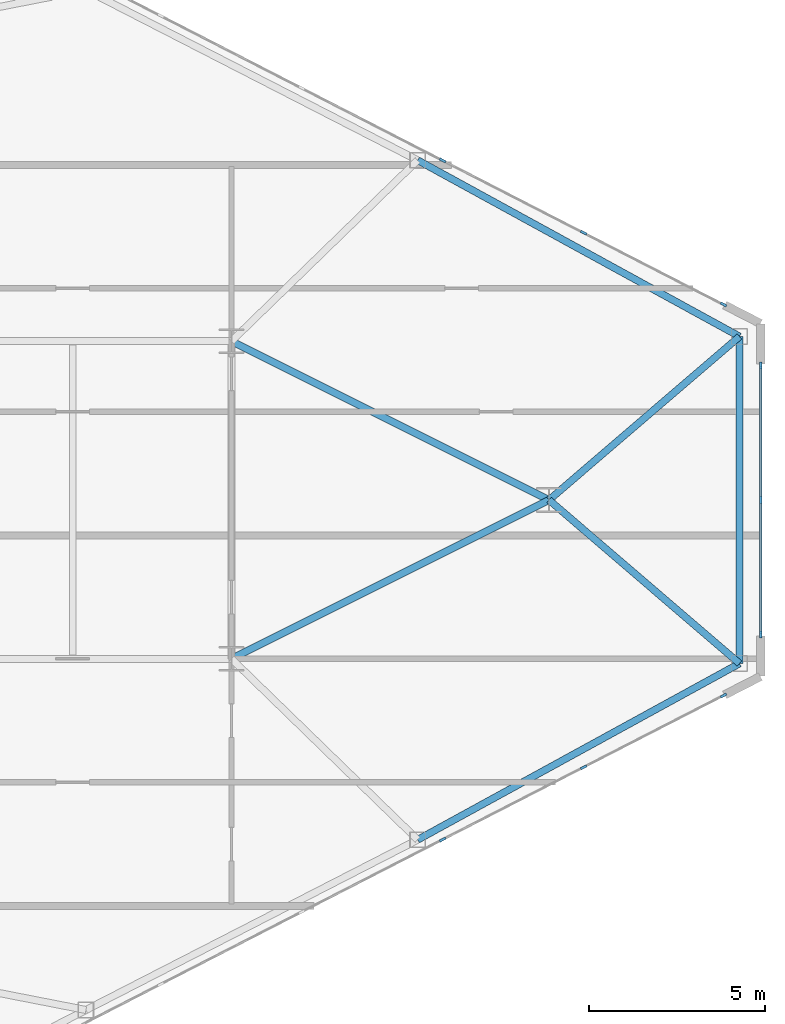
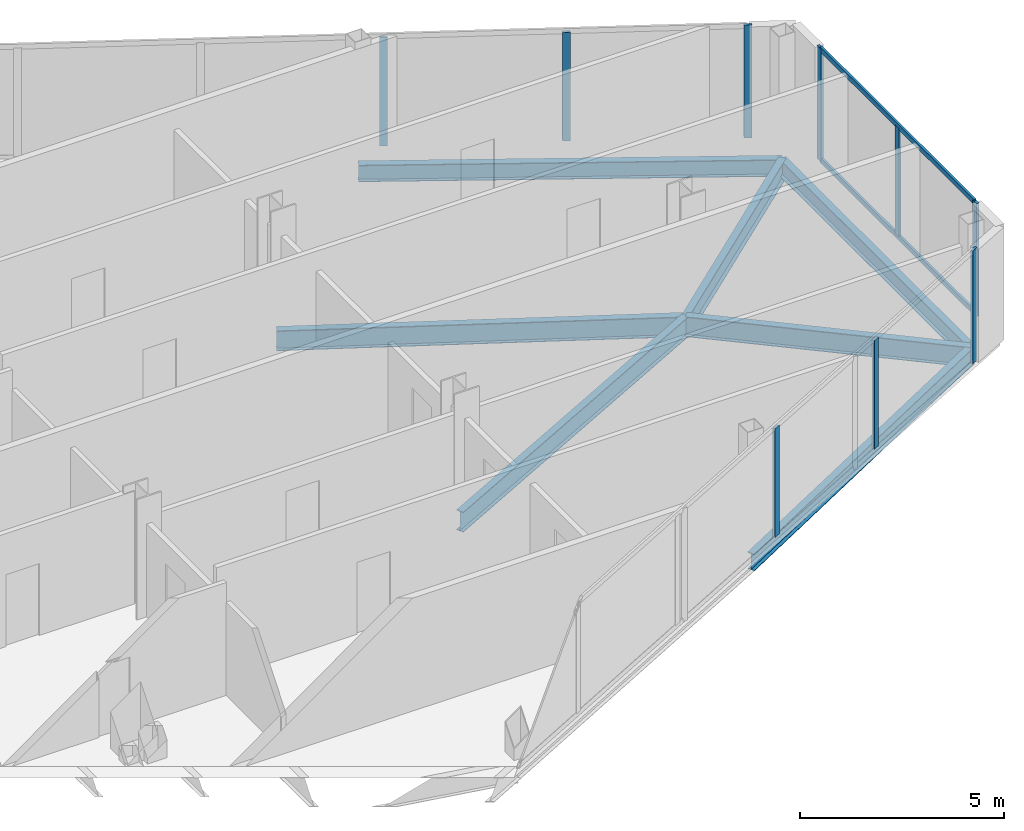
# One storey, part 13 of 23: 11 members, 7 beams, 3 elements without a shape of their own.
"""IFC4 building model written with IfcOpenShell, lengths in metres."""

from ifc_helpers import new_model, si_unit, direction, frame, origin, origin_2d, place, context, subcontext, project, spatial, rectangle, i_section, extrude, source, transform, mapped, material, layer, layer_set, material_profile, profile_set, type_object, type_shapes, element, aggregate, save


model = new_model("IFC4")

# Units and contexts
model_context = context("Model", 3, precision=1e-05, world=origin(), true_north=direction((0.0, 1.0)))
body_context = subcontext(model_context, "Body", "Model", "MODEL_VIEW")
ifc_project = project(units=[si_unit("LENGTHUNIT", "METRE"), si_unit("AREAUNIT", "SQUARE_METRE"), si_unit("VOLUMEUNIT", "CUBIC_METRE"), si_unit("PLANEANGLEUNIT", "RADIAN"), si_unit("MASSUNIT", "GRAM", prefix="KILO")], contexts=[model_context])

# Site, building, storey
site_placement = place(None, origin())
site = spatial("IfcSite", under=ifc_project, at=site_placement, CompositionType="ELEMENT")
building_placement = place(site_placement, origin())
building = spatial("IfcBuilding", under=site, at=building_placement, Name="Seokmaru Belvedere", CompositionType="ELEMENT")
storey_placement = place(building_placement, frame((0.0, 0.0, 144.0)))
storey = spatial("IfcBuildingStorey", under=building, at=storey_placement, Name="L38", CompositionType="ELEMENT", Elevation=144.0)

# Beams
ifc_material_1 = material(Name="Steel SM355 (355 MPa)", Category="steel")
ifc_material_profile_1 = material_profile(ifc_material_1, i_section(OverallWidth=0.199951171875, OverallDepth=0.60009765625, WebThickness=0.010986328125, FlangeThickness=0.01708984375, at=origin_2d()), Name="H-600x200x11x17")
ifc_profile_set_1 = profile_set([ifc_material_profile_1], Name="Steel SM355 (355 MPa)")
beam_type_1 = type_object("IfcBeamType", Name="Primary Floor Girder H-600", PredefinedType="BEAM", material=ifc_profile_set_1)
shared_shape_1 = source(origin(), body_context, "Body", "SweptSolid", [
    extrude(i_section(OverallWidth=0.199951171875, OverallDepth=0.60009765625, WebThickness=0.010986328125, FlangeThickness=0.01708984375, at=origin_2d()), origin(), (0.0, 0.0, 1.0), 10.062255859375),
])
for number, where, z_axis, x_axis, name in (
    (1, (54.5, -4.5, -0.52001953125), (0.894427191, 0.4472135955, 0.0), (-0.4472135955, 0.894427191, 0.0), "L38 E Apex Converging Girder 1"),
    (2, (54.5, 4.5, -0.52001953125), (0.894427191, -0.4472135955, 0.0), (0.4472135955, 0.894427191, 0.0), "L38 E Apex Converging Girder 2"),
):
    element("IfcBeam", number, at=place(storey_placement, frame(where, z_axis=z_axis, x_axis=x_axis)), inside=storey, type_object=beam_type_1, Name=name, PredefinedType="BEAM", context=body_context, shape_type="MappedRepresentation", body=[
        mapped(shared_shape_1, transform((0.0, 0.0, 0.0), scale=1.0)),
    ])
ifc_material_profile_2 = material_profile(ifc_material_1, i_section(OverallWidth=0.199951171875, OverallDepth=0.5, WebThickness=0.010009765625, FlangeThickness=0.01611328125, at=origin_2d()), Name="H-500x200x10x16")
ifc_profile_set_2 = profile_set([ifc_material_profile_2], Name="Steel SM355 (355 MPa)")
beam_type_2 = type_object("IfcBeamType", Name="Perimeter Spandrel Beam H-500", PredefinedType="SPANDREL", material=ifc_profile_set_2)
shared_shape_2 = source(origin(), body_context, "Body", "SweptSolid", [
    extrude(i_section(OverallWidth=0.199951171875, OverallDepth=0.5, WebThickness=0.010009765625, FlangeThickness=0.01611328125, at=origin_2d()), origin(), (0.0, 0.0, 1.0), 10.399658203125),
])
for number, where, z_axis, x_axis, name in (
    (3, (59.778564453125, -9.62890625, -0.469970703125), (0.877082374422, 0.480339992587, 0.0), (-0.480339992587, 0.877082374422, 0.0), "L38 E Faceted Flank Spandrel S-4"),
    (4, (59.778564453125, 9.62890625, -0.469970703125), (0.877082374422, -0.480339992587, 0.0), (0.480339992587, 0.877082374422, 0.0), "L38 E Faceted Flank Spandrel N-4"),
):
    element("IfcBeam", number, at=place(storey_placement, frame(where, z_axis=z_axis, x_axis=x_axis)), inside=storey, type_object=beam_type_2, Name=name, PredefinedType="SPANDREL", context=body_context, shape_type="MappedRepresentation", body=[
        mapped(shared_shape_2, transform((0.0, 0.0, 0.0), scale=1.0)),
    ])
shared_shape_3 = source(origin(), body_context, "Body", "SweptSolid", [
    extrude(i_section(OverallWidth=0.199951171875, OverallDepth=0.5, WebThickness=0.010009765625, FlangeThickness=0.01611328125, at=origin_2d()), origin(), (0.0, 0.0, 1.0), 9.26708984375),
])
type_shapes(beam_type_2, [shared_shape_2, shared_shape_3])
beam_placement = place(storey_placement, frame((68.89990234375, -4.633544921875, -0.469970703125), z_axis=(0.0, 1.0, 0.0), x_axis=(-1.0, 0.0, 0.0)))
element("IfcBeam", 5, at=beam_placement, inside=storey, type_object=beam_type_2, Name="L38 E Faceted Apex Spandrel", PredefinedType="SPANDREL", context=body_context, shape_type="MappedRepresentation", body=[
    mapped(shared_shape_3, transform((0.0, 0.0, 0.0), scale=1.0)),
])
shared_shape_4 = source(origin(), body_context, "Body", "SweptSolid", [
    extrude(i_section(OverallWidth=0.199951171875, OverallDepth=0.60009765625, WebThickness=0.010986328125, FlangeThickness=0.01708984375, at=origin_2d()), origin(), (0.0, 0.0, 1.0), 7.115478515625),
])
type_shapes(beam_type_1, [shared_shape_1, shared_shape_4])
for number, where, z_axis, x_axis, name in (
    (6, (68.89990234375, -4.633544921875, -0.52001953125), (-0.758905301881, 0.651201000289, 0.0), (-0.651201000289, -0.758905301881, 0.0), "L38 E Apex Radial Floor Girder 1"),
    (7, (68.89990234375, 4.633544921875, -0.52001953125), (-0.758905301881, -0.651201000289, 0.0), (0.651201000289, -0.758905301881, 0.0), "L38 E Apex Radial Floor Girder 2"),
):
    element("IfcBeam", number, at=place(storey_placement, frame(where, z_axis=z_axis, x_axis=x_axis)), inside=storey, type_object=beam_type_1, Name=name, PredefinedType="BEAM", context=body_context, shape_type="MappedRepresentation", body=[
        mapped(shared_shape_4, transform((0.0, 0.0, 0.0), scale=1.0)),
    ])

# Curtain wall, member
ifc_material_2 = material(Name="Bronze Triple Insulating Glass", Category="glass")
ifc_layer = layer(ifc_material_2, 0.195068359375)
ifc_layer_set = layer_set([ifc_layer], Name="Bronze Triple Insulating Glass")
curtain_wall_type = type_object("IfcCurtainWallType", Name="Sky-Lobby and Mid-Rise Curtain Wall System CW-4", PredefinedType="NOTDEFINED", material=ifc_layer_set)
curtain_wall_1_placement = place(storey_placement, origin())
curtain_wall_1 = element("IfcCurtainWall", 8, at=curtain_wall_1_placement, inside=storey, type_object=curtain_wall_type, Name="L38 Curtain Wall EF1", PredefinedType="NOTDEFINED")
ifc_material_3 = material(Name="Anodised Bronze Aluminium", Category="aluminium")
ifc_material_profile_3 = material_profile(ifc_material_3, rectangle(XDim=0.070068359375, YDim=0.195068359375, at=origin_2d()), Name="CW-M-70x195")
ifc_profile_set_3 = profile_set([ifc_material_profile_3], Name="Anodised Bronze Aluminium")
member_type_1 = type_object("IfcMemberType", Name="Bronze Unitised Mullion 70x195", PredefinedType="MULLION", material=ifc_profile_set_3)
shared_shape_5 = source(origin(), body_context, "Body", "SweptSolid", [
    extrude(rectangle(XDim=0.070068359375, YDim=0.195068359375, at=origin_2d()), origin(), (0.0, 0.0, 1.0), 3.3798828125),
])
member_1_placement = place(storey_placement, frame((68.44580078125, -5.541015625, 0.0), z_axis=(0.0, 0.0, 1.0), x_axis=(-0.456554528263, 0.889695432562, 0.0)))
member_1 = element("IfcMember", 9, at=member_1_placement, type_object=member_type_1, Name="CW:L38:EF1 Mullion 10", PredefinedType="MULLION", context=body_context, shape_type="MappedRepresentation", body=[
    mapped(shared_shape_5, transform((0.0, 0.0, 0.0), scale=1.0)),
])

# Curtain wall, members
curtain_wall_2_placement = place(storey_placement, origin())
curtain_wall_2 = element("IfcCurtainWall", 10, at=curtain_wall_2_placement, inside=storey, type_object=curtain_wall_type, Name="L38 Curtain Wall EF2", PredefinedType="NOTDEFINED")
member_2_placement = place(storey_placement, frame((69.5, -3.81494140625, 0.0), z_axis=(0.0, 0.0, 1.0), x_axis=(-1.0, 0.0, 0.0)))
member_2 = element("IfcMember", 11, at=member_2_placement, type_object=member_type_1, Name="CW:L38:EF2 Mullion 1", PredefinedType="MULLION", context=body_context, shape_type="MappedRepresentation", body=[
    mapped(shared_shape_5, transform((0.0, 0.0, 0.0), scale=1.0)),
])
member_3_placement = place(storey_placement, frame((69.5, 3.81494140625, 0.0), z_axis=(0.0, 0.0, 1.0), x_axis=(-1.0, 0.0, 0.0)))
member_3 = element("IfcMember", 12, at=member_3_placement, type_object=member_type_1, Name="CW:L38:EF2 Mullion 3", PredefinedType="MULLION", context=body_context, shape_type="MappedRepresentation", body=[
    mapped(shared_shape_5, transform((0.0, 0.0, 0.0), scale=1.0)),
])

# Curtain wall, member
curtain_wall_3_placement = place(storey_placement, origin())
curtain_wall_3 = element("IfcCurtainWall", 13, at=curtain_wall_3_placement, inside=storey, type_object=curtain_wall_type, Name="L38 Curtain Wall EF3", PredefinedType="NOTDEFINED")
member_4_placement = place(storey_placement, frame((68.44580078125, 5.541015625, 0.0), z_axis=(0.0, 0.0, 1.0), x_axis=(-0.456554528263, -0.889695432562, 0.0)))
member_4 = element("IfcMember", 14, at=member_4_placement, type_object=member_type_1, Name="CW:L38:EF3 Mullion 1", PredefinedType="MULLION", context=body_context, shape_type="MappedRepresentation", body=[
    mapped(shared_shape_5, transform((0.0, 0.0, 0.0), scale=1.0)),
])

# Member
shared_shape_6 = source(origin(), body_context, "Body", "SweptSolid", [
    extrude(rectangle(XDim=0.070068359375, YDim=0.195068359375, at=origin_2d()), origin(), (0.0, 0.0, 1.0), 3.25),
])
type_shapes(member_type_1, [shared_shape_5, shared_shape_6])
member_5_placement = place(storey_placement, frame((60.4873046875, -9.625, 0.06494140625), z_axis=(0.0, 0.0, 1.0), x_axis=(-0.456554528263, 0.889695432562, 0.0)))
member_5 = element("IfcMember", 15, at=member_5_placement, type_object=member_type_1, Name="CW:L38:EF1 Mullion 8", PredefinedType="MULLION", context=body_context, shape_type="MappedRepresentation", body=[
    mapped(shared_shape_6, transform((0.0, 0.0, 0.0), scale=1.0)),
])

member_6_placement = place(storey_placement, frame((64.48193359375, -7.574951171875, 0.06494140625), z_axis=(0.0, 0.0, 1.0), x_axis=(-0.456554528263, 0.889695432562, 0.0)))
member_6 = element("IfcMember", 16, at=member_6_placement, type_object=member_type_1, Name="CW:L38:EF1 Mullion 9", PredefinedType="MULLION", context=body_context, shape_type="MappedRepresentation", body=[
    mapped(shared_shape_6, transform((0.0, 0.0, 0.0), scale=1.0)),
])

aggregate(curtain_wall_1, [member_5, member_6, member_1])

member_7_placement = place(storey_placement, frame((69.5, 0.0, 0.06494140625), z_axis=(0.0, 0.0, 1.0), x_axis=(-1.0, 0.0, 0.0)))
member_7 = element("IfcMember", 17, at=member_7_placement, type_object=member_type_1, Name="CW:L38:EF2 Mullion 2", PredefinedType="MULLION", context=body_context, shape_type="MappedRepresentation", body=[
    mapped(shared_shape_6, transform((0.0, 0.0, 0.0), scale=1.0)),
])

member_8_placement = place(storey_placement, frame((64.48193359375, 7.574951171875, 0.06494140625), z_axis=(0.0, 0.0, 1.0), x_axis=(-0.456554528263, -0.889695432562, 0.0)))
member_8 = element("IfcMember", 18, at=member_8_placement, type_object=member_type_1, Name="CW:L38:EF3 Mullion 2", PredefinedType="MULLION", context=body_context, shape_type="MappedRepresentation", body=[
    mapped(shared_shape_6, transform((0.0, 0.0, 0.0), scale=1.0)),
])

member_9_placement = place(storey_placement, frame((60.4873046875, 9.625, 0.06494140625), z_axis=(0.0, 0.0, 1.0), x_axis=(-0.456554528263, -0.889695432562, 0.0)))
member_9 = element("IfcMember", 19, at=member_9_placement, type_object=member_type_1, Name="CW:L38:EF3 Mullion 3", PredefinedType="MULLION", context=body_context, shape_type="MappedRepresentation", body=[
    mapped(shared_shape_6, transform((0.0, 0.0, 0.0), scale=1.0)),
])

aggregate(curtain_wall_3, [member_4, member_8, member_9])

ifc_material_profile_4 = material_profile(ifc_material_3, rectangle(XDim=0.06494140625, YDim=0.14990234375, at=origin_2d()), Name="CW-T-65x150")
ifc_profile_set_4 = profile_set([ifc_material_profile_4], Name="Anodised Bronze Aluminium")
member_type_2 = type_object("IfcMemberType", Name="Bronze Unitised Transom 65x150", PredefinedType="USERDEFINED", material=ifc_profile_set_4)
shared_shape_7 = source(origin(), body_context, "Body", "SweptSolid", [
    extrude(rectangle(XDim=0.06494140625, YDim=0.14990234375, at=origin_2d()), origin(), (0.0, 0.0, 1.0), 7.56005859375),
])
type_shapes(member_type_2, [shared_shape_7])
member_10_placement = place(storey_placement, frame((69.5, -3.780029296875, 0.032470703125), z_axis=(0.0, 1.0, 0.0), x_axis=(-1.0, 0.0, 0.0)))
member_10 = element("IfcMember", 20, at=member_10_placement, type_object=member_type_2, Name="CW:L38:EF2 Continuous Transom 1", ObjectType="TRANSOM", PredefinedType="USERDEFINED", context=body_context, shape_type="MappedRepresentation", body=[
    mapped(shared_shape_7, transform((0.0, 0.0, 0.0), scale=1.0)),
])

member_11_placement = place(storey_placement, frame((69.5, -3.780029296875, 3.347412109375), z_axis=(0.0, 1.0, 0.0), x_axis=(-1.0, 0.0, 0.0)))
member_11 = element("IfcMember", 21, at=member_11_placement, type_object=member_type_2, Name="CW:L38:EF2 Continuous Transom 2", ObjectType="TRANSOM", PredefinedType="USERDEFINED", context=body_context, shape_type="MappedRepresentation", body=[
    mapped(shared_shape_7, transform((0.0, 0.0, 0.0), scale=1.0)),
])

aggregate(curtain_wall_2, [member_2, member_7, member_3, member_10, member_11])

save(model, "model.ifc")
